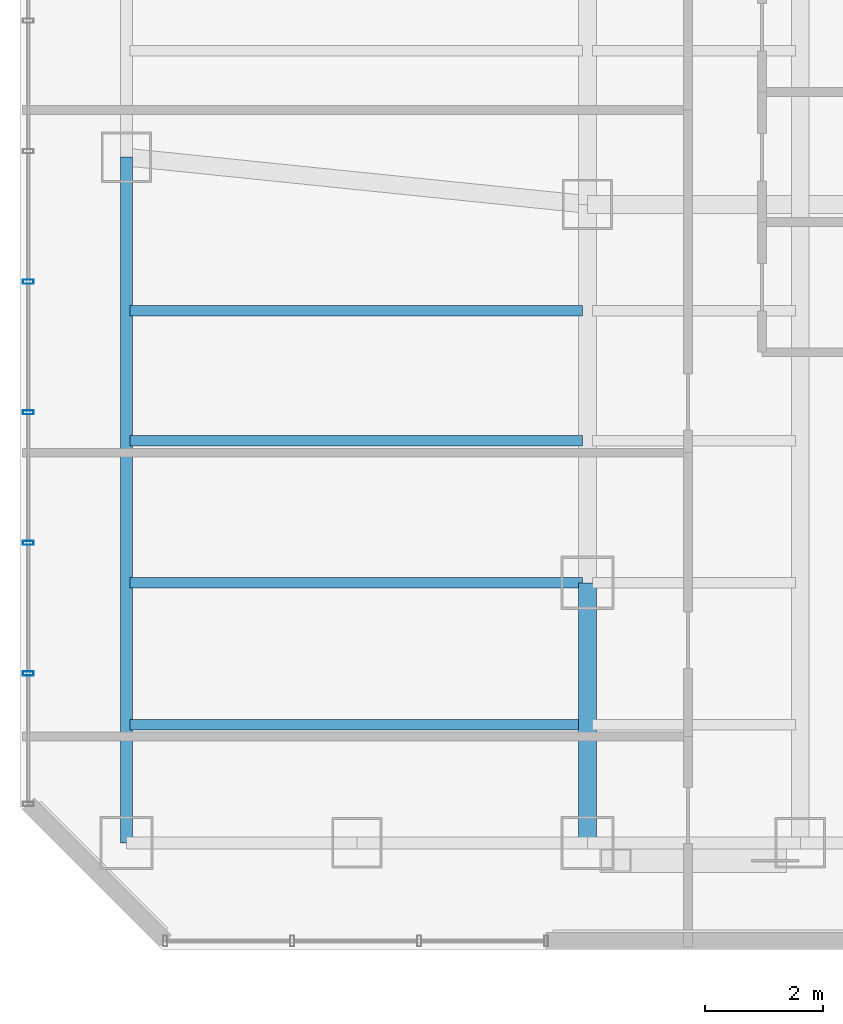
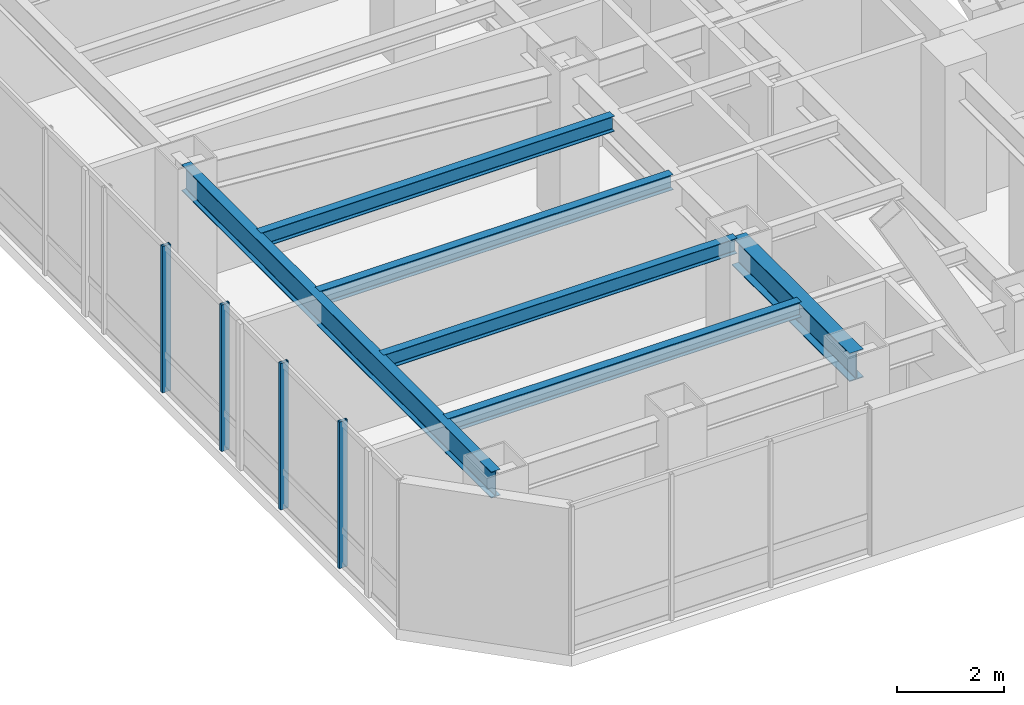
# One storey, part 4 of 31: 6 beams, 4 members, 1 element without a shape of its own.
"""IFC4 building model written with IfcOpenShell, lengths in metres."""

from ifc_helpers import new_model, si_unit, direction, frame, origin, origin_2d, place, context, subcontext, project, spatial, hollow_rectangle, i_section, extrude, material, layer, layer_set, material_profile, profile_set, type_object, element, aggregate, save


model = new_model("IFC4")

# Units and contexts
model_context = context("Model", 3, precision=1e-05, world=origin(), true_north=direction((0.0, 1.0)))
body_context = subcontext(model_context, "Body", "Model", "MODEL_VIEW")
ifc_project = project(units=[si_unit("LENGTHUNIT", "METRE"), si_unit("AREAUNIT", "SQUARE_METRE"), si_unit("VOLUMEUNIT", "CUBIC_METRE"), si_unit("PLANEANGLEUNIT", "RADIAN"), si_unit("MASSUNIT", "GRAM", prefix="KILO")], contexts=[model_context])

# Site, building, storey
site_placement = place(None, origin())
site = spatial("IfcSite", under=ifc_project, at=site_placement, CompositionType="ELEMENT")
building_placement = place(site_placement, origin())
building = spatial("IfcBuilding", under=site, at=building_placement, Name="Hatsunagi Terrace Concourse", CompositionType="ELEMENT")
storey_placement = place(building_placement, frame((0.0, 0.0, 112.050048828125)))
storey = spatial("IfcBuildingStorey", under=building, at=storey_placement, Name="L29", CompositionType="ELEMENT", Elevation=112.050048828125)

# Curtain wall, members
ifc_material_1 = material(Name="Anodised Aluminium Alloy 6063-T5", Category="aluminium")
ifc_layer = layer(ifc_material_1, 0.199951171875)
ifc_layer_set = layer_set([ifc_layer], Name="OfficeZone1_CW03")
curtain_wall_type = type_object("IfcCurtainWallType", Name="OfficeZone1_CW03", PredefinedType="NOTDEFINED", material=ifc_layer_set)
curtain_wall_placement = place(storey_placement, origin())
curtain_wall = element("IfcCurtainWall", 1, at=curtain_wall_placement, inside=storey, type_object=curtain_wall_type, Name="Unitised Curtain Wall CW-03 CW-L29-09", PredefinedType="NOTDEFINED")
ifc_material_2 = material(Name="Anodised Aluminium Alloy 6063-T5", Category="aluminium")
ifc_material_profile_1 = material_profile(ifc_material_2, hollow_rectangle(XDim=0.070068359375, YDim=0.179931640625, WallThickness=0.00390625, at=origin_2d()), Name="ALU-MUL-180x70x4")
ifc_profile_set_1 = profile_set([ifc_material_profile_1], Name="Anodised Aluminium Alloy 6063-T5")
member_type = type_object("IfcMemberType", Name="CurtainWallMullion_180x70", PredefinedType="MULLION", material=ifc_profile_set_1)
member_1_placement = place(storey_placement, frame((9.739990234375, 28.06591796875, 0.0), z_axis=(0.0, 0.0, 1.0), x_axis=(0.0, 1.0, 0.0)))
member_1 = element("IfcMember", 2, at=member_1_placement, type_object=member_type, Name="Curtain Wall Mullion MUL-02", PredefinedType="MULLION", context=body_context, shape_type="SweptSolid", body=[
    extrude(hollow_rectangle(XDim=0.070068359375, YDim=0.179931640625, WallThickness=0.00390625, at=origin_2d()), origin(), (0.0, 0.0, 1.0), 3.349853515625),
])
member_2_placement = place(storey_placement, frame((9.739990234375, 30.27490234375, 0.0), z_axis=(0.0, 0.0, 1.0), x_axis=(0.0, 1.0, 0.0)))
member_2 = element("IfcMember", 3, at=member_2_placement, type_object=member_type, Name="Curtain Wall Mullion MUL-02", PredefinedType="MULLION", context=body_context, shape_type="SweptSolid", body=[
    extrude(hollow_rectangle(XDim=0.070068359375, YDim=0.179931640625, WallThickness=0.00390625, at=origin_2d()), origin(), (0.0, 0.0, 1.0), 3.349853515625),
])
member_3_placement = place(storey_placement, frame((9.739990234375, 32.48291015625, 0.0), z_axis=(0.0, 0.0, 1.0), x_axis=(0.0, 1.0, 0.0)))
member_3 = element("IfcMember", 4, at=member_3_placement, type_object=member_type, Name="Curtain Wall Mullion MUL-02", PredefinedType="MULLION", context=body_context, shape_type="SweptSolid", body=[
    extrude(hollow_rectangle(XDim=0.070068359375, YDim=0.179931640625, WallThickness=0.00390625, at=origin_2d()), origin(), (0.0, 0.0, 1.0), 3.349853515625),
])
member_4_placement = place(storey_placement, frame((9.739990234375, 34.69189453125, 0.0), z_axis=(0.0, 0.0, 1.0), x_axis=(0.0, 1.0, 0.0)))
member_4 = element("IfcMember", 5, at=member_4_placement, type_object=member_type, Name="Curtain Wall Mullion MUL-02", PredefinedType="MULLION", context=body_context, shape_type="SweptSolid", body=[
    extrude(hollow_rectangle(XDim=0.070068359375, YDim=0.179931640625, WallThickness=0.00390625, at=origin_2d()), origin(), (0.0, 0.0, 1.0), 3.349853515625),
])
aggregate(curtain_wall, [member_1, member_2, member_3, member_4])

# Beams
ifc_material_3 = material(Name="Steel SN490B", Category="steel")
ifc_material_profile_2 = material_profile(ifc_material_3, i_section(OverallWidth=0.175048828125, OverallDepth=0.35009765625, WebThickness=0.007080078125, FlangeThickness=0.010986328125, FilletRadius=0.012939453125, at=origin_2d()), Name="H-350x175x7x11")
ifc_profile_set_2 = profile_set([ifc_material_profile_2], Name="Steel SN490B")
beam_type_1 = type_object("IfcBeamType", Name="HotelJoist_H_350x175", PredefinedType="JOIST", material=ifc_profile_set_2)
for number, where, z_axis, x_axis, name in (
    (6, (11.465087890625, 27.199951171875, 3.175048828125), (1.0, 0.0, 0.0), (0.0, 1.0, 0.0), "Beam J-02 J-L29-W-11-272"),
    (7, (11.465087890625, 29.60009765625, 3.175048828125), (1.0, 0.0, 0.0), (0.0, 1.0, 0.0), "Beam J-02 J-L29-W-11-296"),
    (8, (11.465087890625, 32.0, 3.175048828125), (1.0, 0.0, 0.0), (0.0, 1.0, 0.0), "Beam J-02 J-L29-W-11-320"),
    (9, (11.465087890625, 34.199951171875, 3.175048828125), (1.0, 0.0, 0.0), (0.0, 1.0, 0.0), "Beam J-02 J-L29-W-11-342"),
):
    element("IfcBeam", number, at=place(storey_placement, frame(where, z_axis=z_axis, x_axis=x_axis)), inside=storey, type_object=beam_type_1, Name=name, PredefinedType="JOIST", context=body_context, shape_type="SweptSolid", body=[
        extrude(i_section(OverallWidth=0.175048828125, OverallDepth=0.35009765625, WebThickness=0.007080078125, FlangeThickness=0.010986328125, FilletRadius=0.012939453125, at=origin_2d()), origin(), (0.0, 0.0, 1.0), 7.64990234375),
    ])
ifc_material_4 = material(Name="Steel SN490B", Category="steel")
ifc_material_profile_3 = material_profile(ifc_material_4, i_section(OverallWidth=0.300048828125, OverallDepth=0.64990234375, WebThickness=0.012939453125, FlangeThickness=0.02197265625, FilletRadius=0.01806640625, at=origin_2d()), Name="H-650x300x13x22")
ifc_profile_set_3 = profile_set([ifc_material_profile_3], Name="Steel SN490B")
beam_type_2 = type_object("IfcBeamType", Name="OfficeLowGirder_H_650x300", PredefinedType="BEAM", material=ifc_profile_set_3)
beam_1_placement = place(storey_placement, frame((19.199951171875, 25.199951171875, 3.02490234375), z_axis=(0.0, 1.0, 0.0), x_axis=(-1.0, 0.0, 0.0)))
element("IfcBeam", 10, at=beam_1_placement, inside=storey, type_object=beam_type_2, Name="Beam G-05 BM-L29-NS-19-25", PredefinedType="BEAM", context=body_context, shape_type="SweptSolid", body=[
    extrude(i_section(OverallWidth=0.300048828125, OverallDepth=0.64990234375, WebThickness=0.012939453125, FlangeThickness=0.02197265625, FilletRadius=0.01806640625, at=origin_2d()), origin(), (0.0, 0.0, 1.0), 4.400146484375),
])
ifc_material_5 = material(Name="Steel SN490B", Category="steel")
ifc_material_profile_4 = material_profile(ifc_material_5, i_section(OverallWidth=0.199951171875, OverallDepth=0.60009765625, WebThickness=0.010986328125, FlangeThickness=0.01708984375, FilletRadius=0.01806640625, at=origin_2d()), Name="H-600x200x11x17")
ifc_profile_set_4 = profile_set([ifc_material_profile_4], Name="Steel SN490B")
beam_type_3 = type_object("IfcBeamType", Name="PerimeterSpandrel_H_600x200", PredefinedType="SPANDREL", material=ifc_profile_set_4)
beam_2_placement = place(storey_placement, frame((11.39990234375, 25.199951171875, 3.050048828125), z_axis=(0.0, 1.0, 0.0), x_axis=(-1.0, 0.0, 0.0)))
element("IfcBeam", 11, at=beam_2_placement, inside=storey, type_object=beam_type_3, Name="Beam SP-01 BM-L29-NS-11-25", PredefinedType="SPANDREL", context=body_context, shape_type="SweptSolid", body=[
    extrude(i_section(OverallWidth=0.199951171875, OverallDepth=0.60009765625, WebThickness=0.010986328125, FlangeThickness=0.01708984375, FilletRadius=0.01806640625, at=origin_2d()), origin(), (0.0, 0.0, 1.0), 11.60009765625),
])

save(model, "model.ifc")
